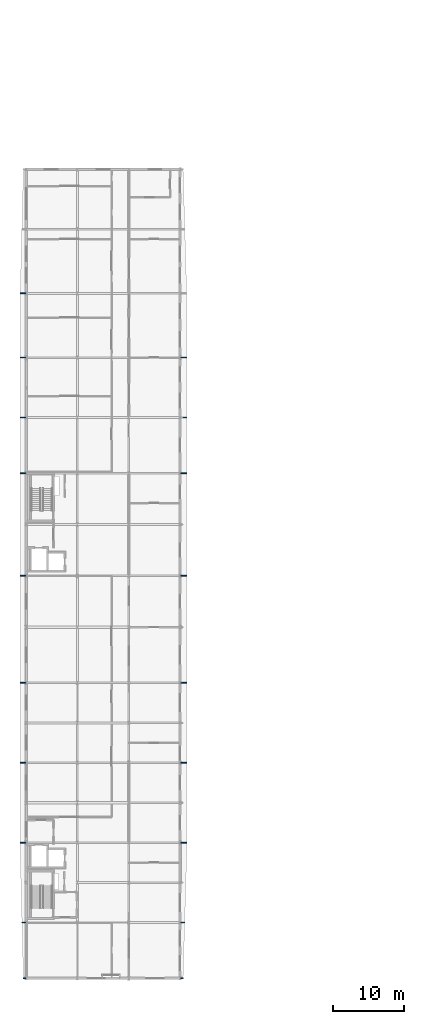
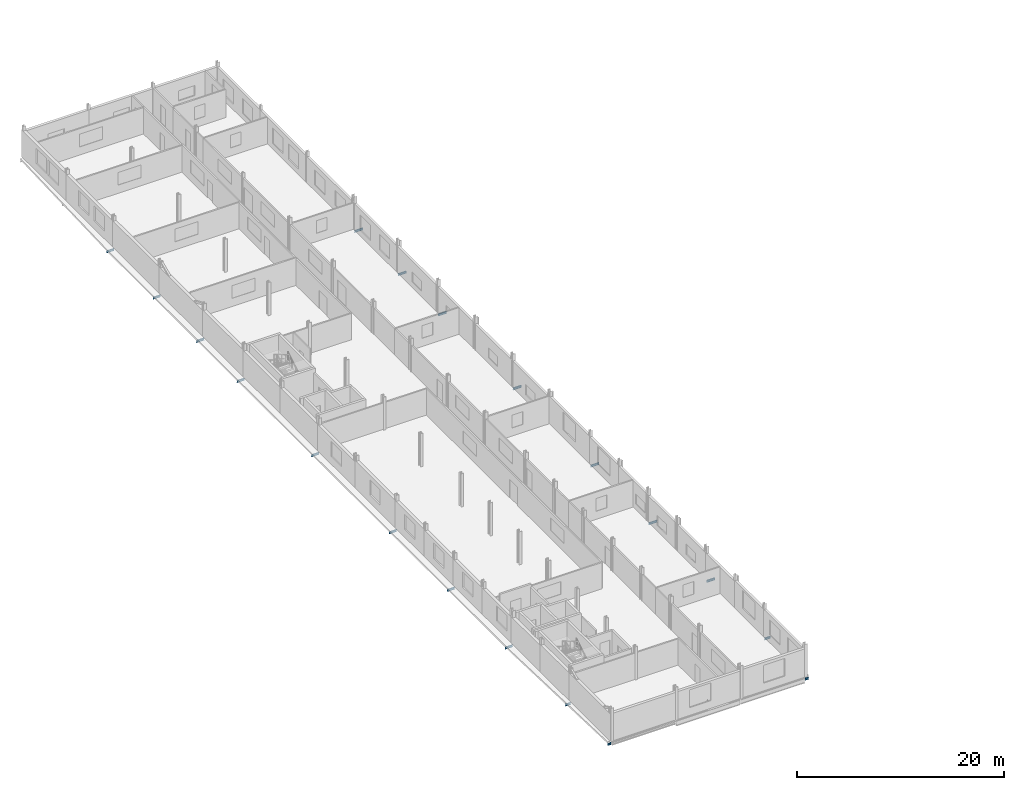
# One storey, part 12 of 30: 19 beams.
"""IFC4 building model written with IfcOpenShell, lengths in metres."""

from ifc_helpers import new_model, si_unit, direction, frame, origin, origin_2d, place, context, subcontext, project, spatial, i_section, extrude, material, material_profile, profile_set, type_object, element, save


model = new_model("IFC4")

# Units and contexts
model_context = context("Model", 3, precision=1e-05, world=origin(), true_north=direction((0.0, 1.0)))
body_context = subcontext(model_context, "Body", "Model", "MODEL_VIEW")
ifc_project = project(units=[si_unit("LENGTHUNIT", "METRE"), si_unit("AREAUNIT", "SQUARE_METRE"), si_unit("VOLUMEUNIT", "CUBIC_METRE"), si_unit("PLANEANGLEUNIT", "RADIAN"), si_unit("MASSUNIT", "GRAM", prefix="KILO")], contexts=[model_context])

# Site, building, storey
site_placement = place(None, origin())
site = spatial("IfcSite", under=ifc_project, at=site_placement, CompositionType="ELEMENT")
building_placement = place(site_placement, origin())
building = spatial("IfcBuilding", under=site, at=building_placement, Name="Vinh Khe Railworks Police Headquarters", CompositionType="ELEMENT")
storey_placement = place(building_placement, frame((0.0, 0.0, 21.0)))
storey = spatial("IfcBuildingStorey", under=building, at=storey_placement, Name="L05", CompositionType="ELEMENT", Elevation=21.0)

# Beams
ifc_material = material(Name="Steel S355JR", Category="steel")
ifc_material_profile = material_profile(ifc_material, i_section(OverallWidth=0.1201171875, OverallDepth=0.239990234375, WebThickness=0.006103515625, FlangeThickness=0.009765625, FilletRadius=0.014892578125, at=origin_2d()), Name="IPE 240")
ifc_profile_set = profile_set([ifc_material_profile], Name="Steel S355JR")
beam_type = type_object("IfcBeamType", Name="Monsoon Hood Outrigger IPE 240", PredefinedType="BEAM", material=ifc_profile_set)
beam_1_placement = place(storey_placement, frame((0.21142578125, 17.39990234375, -0.360107421875), z_axis=(1.0, 0.0, 0.0), x_axis=(0.0, 1.0, 0.0)))
element("IfcBeam", 1, at=beam_1_placement, inside=storey, type_object=beam_type, Name="Monsoon Sun-Hood Outrigger L05-085", PredefinedType="BEAM", context=body_context, shape_type="SweptSolid", body=[
    extrude(i_section(OverallWidth=0.1201171875, OverallDepth=0.239990234375, WebThickness=0.006103515625, FlangeThickness=0.009765625, FilletRadius=0.014892578125, at=origin_2d()), origin(), (0.0, 0.0, 1.0), 0.388671875),
])
beam_2_placement = place(storey_placement, frame((0.01318359375, 25.199951171875, -0.360107421875), z_axis=(1.0, 0.0, 0.0), x_axis=(0.0, 1.0, 0.0)))
element("IfcBeam", 2, at=beam_2_placement, inside=storey, type_object=beam_type, Name="Monsoon Sun-Hood Outrigger L05-086", PredefinedType="BEAM", context=body_context, shape_type="SweptSolid", body=[
    extrude(i_section(OverallWidth=0.1201171875, OverallDepth=0.239990234375, WebThickness=0.006103515625, FlangeThickness=0.009765625, FilletRadius=0.014892578125, at=origin_2d()), origin(), (0.0, 0.0, 1.0), 0.5869140625),
])
for number, where, z_axis, x_axis, name in (
    (3, (-0.25, 36.39990234375, -0.360107421875), (1.0, 0.0, 0.0), (0.0, 1.0, 0.0), "Monsoon Sun-Hood Outrigger L05-087"),
    (4, (-0.25, 47.60009765625, -0.360107421875), (1.0, 0.0, 0.0), (0.0, 1.0, 0.0), "Monsoon Sun-Hood Outrigger L05-088"),
    (5, (-0.25, 58.800048828125, -0.360107421875), (1.0, 0.0, 0.0), (0.0, 1.0, 0.0), "Monsoon Sun-Hood Outrigger L05-089"),
    (6, (-0.25, 73.800048828125, -0.360107421875), (1.0, 0.0, 0.0), (0.0, 1.0, 0.0), "Monsoon Sun-Hood Outrigger L05-090"),
    (7, (-0.25, 88.199951171875, -0.360107421875), (1.0, 0.0, 0.0), (0.0, 1.0, 0.0), "Monsoon Sun-Hood Outrigger L05-091"),
    (8, (-0.25, 96.0, -0.360107421875), (1.0, 0.0, 0.0), (0.0, 1.0, 0.0), "Monsoon Sun-Hood Outrigger L05-092"),
    (9, (-0.25, 104.39990234375, -0.360107421875), (1.0, 0.0, 0.0), (0.0, 1.0, 0.0), "Monsoon Sun-Hood Outrigger L05-093"),
):
    element("IfcBeam", number, at=place(storey_placement, frame(where, z_axis=z_axis, x_axis=x_axis)), inside=storey, type_object=beam_type, Name=name, PredefinedType="BEAM", context=body_context, shape_type="SweptSolid", body=[
        extrude(i_section(OverallWidth=0.1201171875, OverallDepth=0.239990234375, WebThickness=0.006103515625, FlangeThickness=0.009765625, FilletRadius=0.014892578125, at=origin_2d()), origin(), (0.0, 0.0, 1.0), 0.85009765625),
    ])
beam_3_placement = place(storey_placement, frame((-0.231201171875, 113.39990234375, -0.360107421875), z_axis=(1.0, 0.0, 0.0), x_axis=(0.0, 1.0, 0.0)))
element("IfcBeam", 10, at=beam_3_placement, inside=storey, type_object=beam_type, Name="Monsoon Sun-Hood Outrigger L05-094", PredefinedType="BEAM", context=body_context, shape_type="SweptSolid", body=[
    extrude(i_section(OverallWidth=0.1201171875, OverallDepth=0.239990234375, WebThickness=0.006103515625, FlangeThickness=0.009765625, FilletRadius=0.014892578125, at=origin_2d()), origin(), (0.0, 0.0, 1.0), 0.831298828125),
])
beam_4_placement = place(storey_placement, frame((22.199951171875, 17.39990234375, -0.360107421875), z_axis=(1.0, 0.0, 0.0), x_axis=(0.0, 1.0, 0.0)))
element("IfcBeam", 11, at=beam_4_placement, inside=storey, type_object=beam_type, Name="Monsoon Sun-Hood Outrigger L05-097", PredefinedType="BEAM", context=body_context, shape_type="SweptSolid", body=[
    extrude(i_section(OverallWidth=0.1201171875, OverallDepth=0.239990234375, WebThickness=0.006103515625, FlangeThickness=0.009765625, FilletRadius=0.014892578125, at=origin_2d()), origin(), (0.0, 0.0, 1.0), 0.423583984375),
])
beam_5_placement = place(storey_placement, frame((22.199951171875, 25.199951171875, -0.360107421875), z_axis=(1.0, 0.0, 0.0), x_axis=(0.0, 1.0, 0.0)))
element("IfcBeam", 12, at=beam_5_placement, inside=storey, type_object=beam_type, Name="Monsoon Sun-Hood Outrigger L05-098", PredefinedType="BEAM", context=body_context, shape_type="SweptSolid", body=[
    extrude(i_section(OverallWidth=0.1201171875, OverallDepth=0.239990234375, WebThickness=0.006103515625, FlangeThickness=0.009765625, FilletRadius=0.014892578125, at=origin_2d()), origin(), (0.0, 0.0, 1.0), 0.64990234375),
])
for number, where, z_axis, x_axis, name in (
    (13, (22.199951171875, 36.39990234375, -0.360107421875), (1.0, 0.0, 0.0), (0.0, 1.0, 0.0), "Monsoon Sun-Hood Outrigger L05-099"),
    (14, (22.199951171875, 47.60009765625, -0.360107421875), (1.0, 0.0, 0.0), (0.0, 1.0, 0.0), "Monsoon Sun-Hood Outrigger L05-100"),
    (15, (22.199951171875, 58.800048828125, -0.360107421875), (1.0, 0.0, 0.0), (0.0, 1.0, 0.0), "Monsoon Sun-Hood Outrigger L05-101"),
    (16, (22.199951171875, 73.800048828125, -0.360107421875), (1.0, 0.0, 0.0), (0.0, 1.0, 0.0), "Monsoon Sun-Hood Outrigger L05-102"),
    (17, (22.199951171875, 88.199951171875, -0.360107421875), (1.0, 0.0, 0.0), (0.0, 1.0, 0.0), "Monsoon Sun-Hood Outrigger L05-103"),
    (18, (22.199951171875, 96.0, -0.360107421875), (1.0, 0.0, 0.0), (0.0, 1.0, 0.0), "Monsoon Sun-Hood Outrigger L05-104"),
    (19, (22.199951171875, 104.39990234375, -0.360107421875), (1.0, 0.0, 0.0), (0.0, 1.0, 0.0), "Monsoon Sun-Hood Outrigger L05-105"),
):
    element("IfcBeam", number, at=place(storey_placement, frame(where, z_axis=z_axis, x_axis=x_axis)), inside=storey, type_object=beam_type, Name=name, PredefinedType="BEAM", context=body_context, shape_type="SweptSolid", body=[
        extrude(i_section(OverallWidth=0.1201171875, OverallDepth=0.239990234375, WebThickness=0.006103515625, FlangeThickness=0.009765625, FilletRadius=0.014892578125, at=origin_2d()), origin(), (0.0, 0.0, 1.0), 0.949951171875),
    ])

save(model, "model.ifc")
